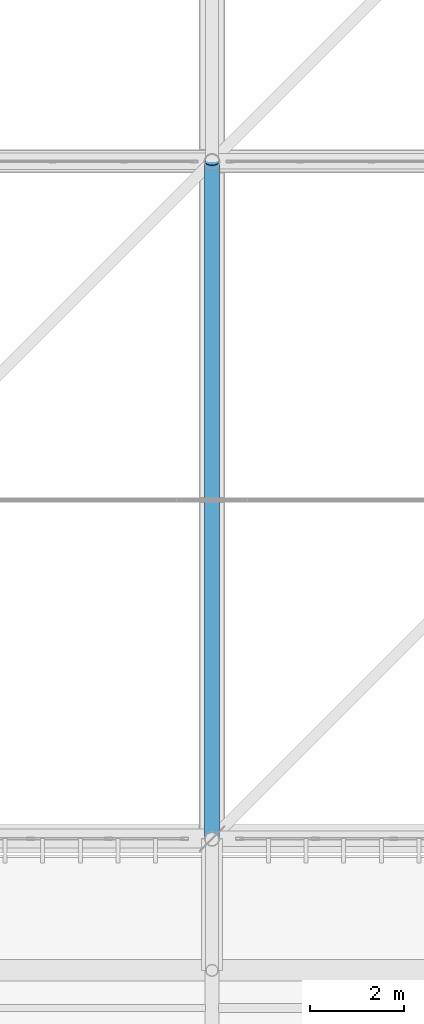
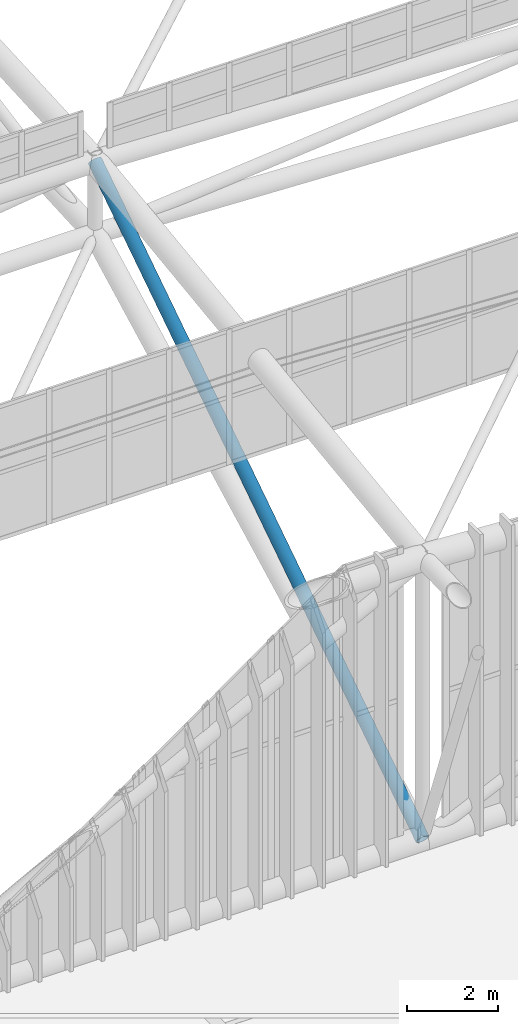
# One storey, part 92 of 397: 1 member.
"""IFC4 building model written with IfcOpenShell, lengths in metres."""

from ifc_helpers import new_model, si_unit, direction, frame, origin, origin_2d, place, context, subcontext, project, spatial, hollow_circle, extrude, material, material_profile, profile_set, type_object, element, save


model = new_model("IFC4")

# Units and contexts
model_context = context("Model", 3, precision=1e-05, world=origin(), true_north=direction((0.0, 1.0)))
body_context = subcontext(model_context, "Body", "Model", "MODEL_VIEW")
ifc_project = project(units=[si_unit("LENGTHUNIT", "METRE"), si_unit("AREAUNIT", "SQUARE_METRE"), si_unit("VOLUMEUNIT", "CUBIC_METRE"), si_unit("PLANEANGLEUNIT", "RADIAN"), si_unit("MASSUNIT", "GRAM", prefix="KILO")], contexts=[model_context])

# Site, building, storey
site_placement = place(None, origin())
site = spatial("IfcSite", under=ifc_project, at=site_placement, CompositionType="ELEMENT")
building_placement = place(site_placement, origin())
building = spatial("IfcBuilding", under=site, at=building_placement, Name="Qandorah Velis Arena", CompositionType="ELEMENT")
storey_placement = place(building_placement, frame((0.0, 0.0, 27.5)))
storey = spatial("IfcBuildingStorey", under=building, at=storey_placement, Name="RF", CompositionType="ELEMENT", Elevation=27.5)

# Member
ifc_material = material(Name="Steel S355", Category="steel")
ifc_material_profile = material_profile(ifc_material, hollow_circle(Radius=0.161865234375, WallThickness=0.012451171875, at=origin_2d()), Name="CHS 323.9x12.5")
ifc_profile_set = profile_set([ifc_material_profile], Name="Steel S355")
member_type = type_object("IfcMemberType", Name="STR-SFD-CHS323X12", PredefinedType="CHORD", material=ifc_profile_set)
member_placement = place(storey_placement, frame((72.0, 14.39990234375, 0.10009765625), z_axis=(0.0, 0.835700649131, 0.549185237458), x_axis=(-1.0, 0.0, 0.0)))
element("IfcMember", 1, at=member_placement, inside=storey, type_object=member_type, Name="Space frame roof diagonal Y 4.0", PredefinedType="CHORD", context=body_context, shape_type="SweptSolid", body=[
    extrude(hollow_circle(Radius=0.161865234375, WallThickness=0.012451171875, at=origin_2d()), origin(), (0.0, 0.0, 1.0), 17.231201171875),
])

save(model, "model.ifc")
